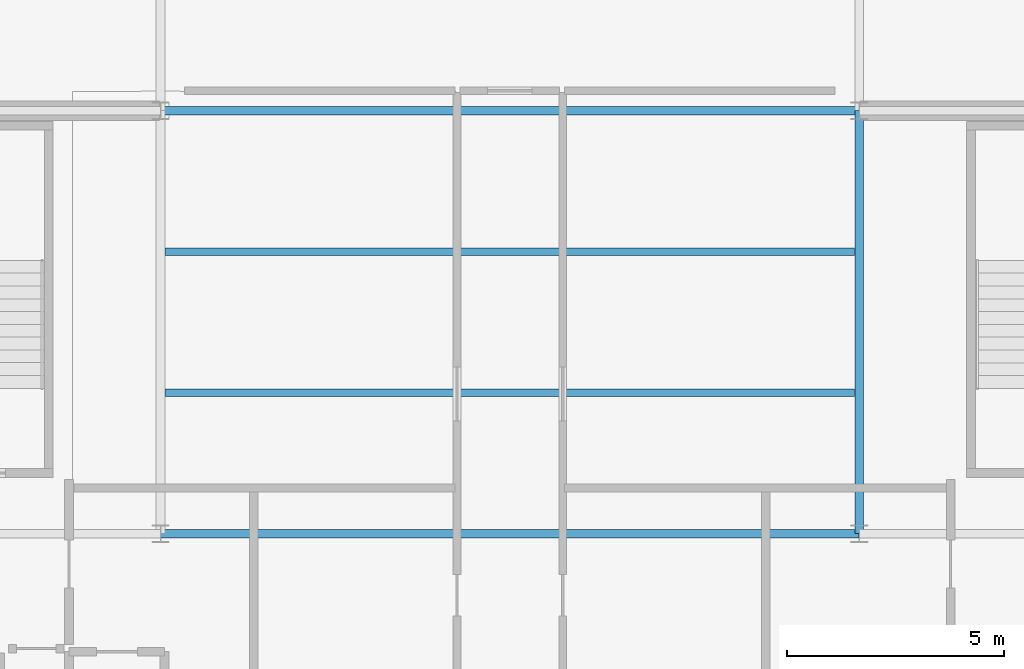
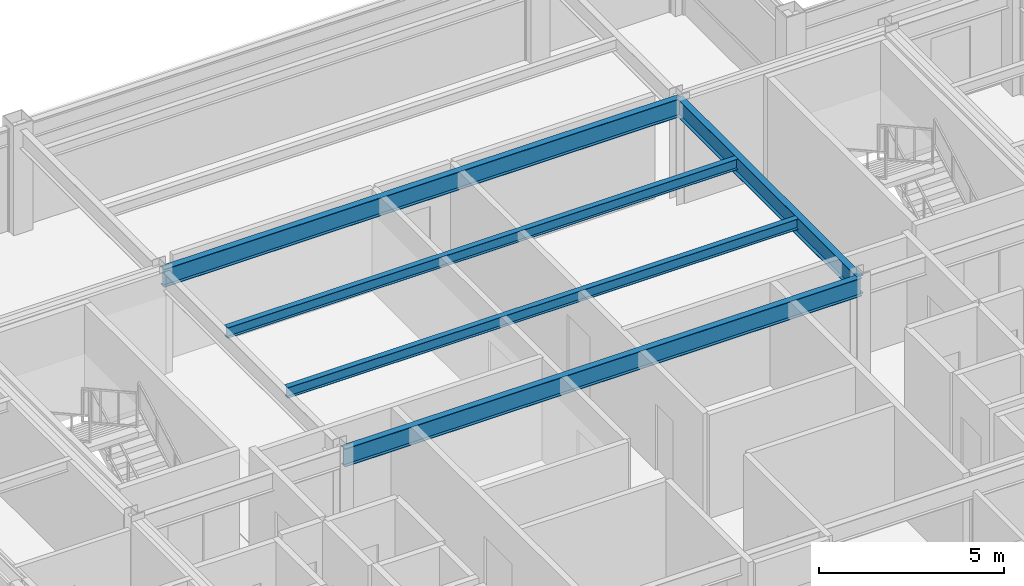
# One storey, part 13 of 27: 5 beams.
"""IFC4 building model written with IfcOpenShell, lengths in metres."""

from ifc_helpers import new_model, si_unit, direction, frame, origin, origin_2d, place, context, subcontext, project, spatial, i_section, extrude, material, material_profile, profile_set, type_object, element, save


model = new_model("IFC4")

# Units and contexts
model_context = context("Model", 3, precision=1e-05, world=origin(), true_north=direction((0.0, 1.0)))
body_context = subcontext(model_context, "Body", "Model", "MODEL_VIEW")
ifc_project = project(units=[si_unit("LENGTHUNIT", "METRE"), si_unit("AREAUNIT", "SQUARE_METRE"), si_unit("VOLUMEUNIT", "CUBIC_METRE"), si_unit("PLANEANGLEUNIT", "RADIAN"), si_unit("MASSUNIT", "GRAM", prefix="KILO")], contexts=[model_context])

# Site, building, storey
site_placement = place(None, origin())
site = spatial("IfcSite", under=ifc_project, at=site_placement, CompositionType="ELEMENT")
building_placement = place(site_placement, origin())
building = spatial("IfcBuilding", under=site, at=building_placement, Name="Brelmoor Portico Tower", CompositionType="ELEMENT")
storey_placement = place(building_placement, frame((0.0, 0.0, 250.800048828125)))
storey = spatial("IfcBuildingStorey", under=building, at=storey_placement, Name="L66", CompositionType="ELEMENT", Elevation=250.800048828125)

# Beams
ifc_material = material(Name="Steel Q355B", Category="steel")
ifc_material_profile_1 = material_profile(ifc_material, i_section(OverallWidth=0.175048828125, OverallDepth=0.35009765625, WebThickness=0.007080078125, FlangeThickness=0.010986328125, at=origin_2d()), Name="HN 350x175x7x11")
ifc_profile_set_1 = profile_set([ifc_material_profile_1], Name="Steel Q355B")
beam_type_1 = type_object("IfcBeamType", Name="BM-JS-350", PredefinedType="JOIST", material=ifc_profile_set_1)
for number, where, z_axis, x_axis, name in (
    (1, (-7.949951171875, 3.25, 3.224853515625), (1.0, 0.0, 0.0), (0.0, 1.0, 0.0), "L66 Secondary Composite Joist JS-C03"),
    (2, (-7.949951171875, 6.5, 3.224853515625), (1.0, 0.0, 0.0), (0.0, 1.0, 0.0), "L66 Secondary Composite Joist JS-C04"),
):
    element("IfcBeam", number, at=place(storey_placement, frame(where, z_axis=z_axis, x_axis=x_axis)), inside=storey, type_object=beam_type_1, Name=name, PredefinedType="JOIST", context=body_context, shape_type="SweptSolid", body=[
        extrude(i_section(OverallWidth=0.175048828125, OverallDepth=0.35009765625, WebThickness=0.007080078125, FlangeThickness=0.010986328125, at=origin_2d()), origin(), (0.0, 0.0, 1.0), 15.89990234375),
    ])
ifc_material_profile_2 = material_profile(ifc_material, i_section(OverallWidth=0.199951171875, OverallDepth=0.60009765625, WebThickness=0.010986328125, FlangeThickness=0.01708984375, at=origin_2d()), Name="HN 600x200x11x17")
ifc_profile_set_2 = profile_set([ifc_material_profile_2], Name="Steel Q355B")
beam_type_2 = type_object("IfcBeamType", Name="BM-PG-600", PredefinedType="BEAM", material=ifc_profile_set_2)
beam_placement = place(storey_placement, frame((8.050048828125, 0.0, 3.099853515625), z_axis=(0.0, 1.0, 0.0), x_axis=(-1.0, 0.0, 0.0)))
element("IfcBeam", 3, at=beam_placement, inside=storey, type_object=beam_type_2, Name="L66 Primary Floor Girder PG-07", PredefinedType="BEAM", context=body_context, shape_type="SweptSolid", body=[
    extrude(i_section(OverallWidth=0.199951171875, OverallDepth=0.60009765625, WebThickness=0.010986328125, FlangeThickness=0.01708984375, at=origin_2d()), origin(), (0.0, 0.0, 1.0), 9.75),
])
for number, where, z_axis, x_axis, name in (
    (4, (-8.050048828125, 0.0, 3.099853515625), (1.0, 0.0, 0.0), (0.0, 1.0, 0.0), "L66 Primary Floor Girder PG-17"),
    (5, (-8.050048828125, 9.75, 3.099853515625), (1.0, 0.0, 0.0), (0.0, 1.0, 0.0), "L66 Primary Floor Girder PG-21"),
):
    element("IfcBeam", number, at=place(storey_placement, frame(where, z_axis=z_axis, x_axis=x_axis)), inside=storey, type_object=beam_type_2, Name=name, PredefinedType="BEAM", context=body_context, shape_type="SweptSolid", body=[
        extrude(i_section(OverallWidth=0.199951171875, OverallDepth=0.60009765625, WebThickness=0.010986328125, FlangeThickness=0.01708984375, at=origin_2d()), origin(), (0.0, 0.0, 1.0), 16.10009765625),
    ])

save(model, "model.ifc")
